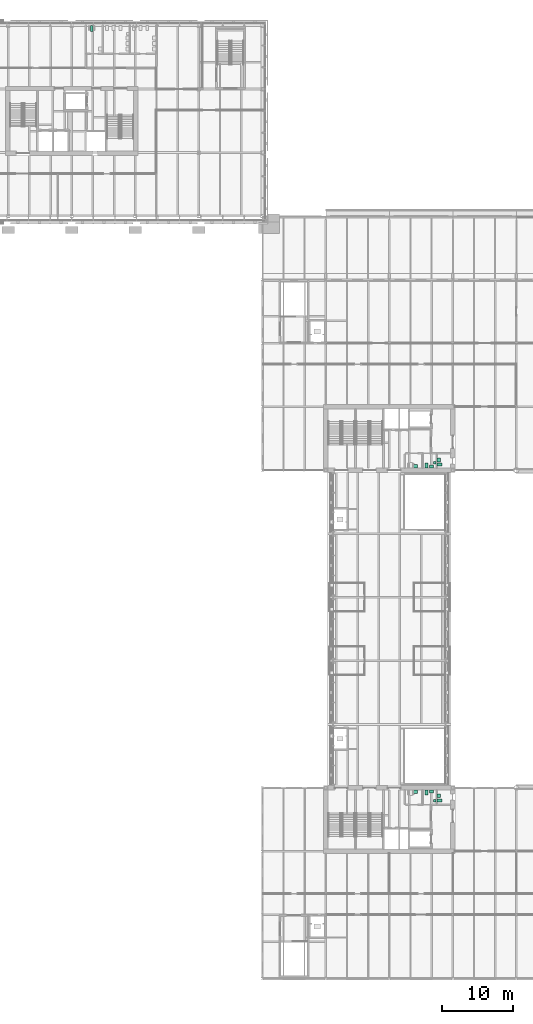
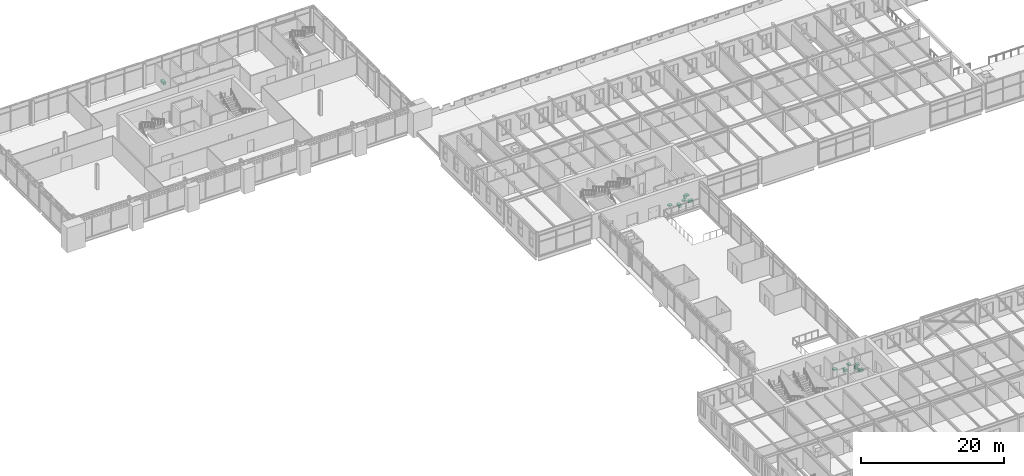
# One storey, part 121 of 123: 13 sanitary terminals.
"""IFC4 building model written with IfcOpenShell, lengths in metres."""

from ifc_helpers import new_model, si_unit, direction, frame, origin, origin_2d, place, context, subcontext, project, spatial, rectangle, extrude, material, type_object, element, save


model = new_model("IFC4")

# Units and contexts
model_context = context("Model", 3, precision=1e-05, world=origin(), true_north=direction((0.0, 1.0)))
body_context = subcontext(model_context, "Body", "Model", "MODEL_VIEW")
ifc_project = project(units=[si_unit("LENGTHUNIT", "METRE"), si_unit("AREAUNIT", "SQUARE_METRE"), si_unit("VOLUMEUNIT", "CUBIC_METRE"), si_unit("PLANEANGLEUNIT", "RADIAN"), si_unit("MASSUNIT", "GRAM", prefix="KILO")], contexts=[model_context])

# Site, building, storey
site_placement = place(None, origin())
site = spatial("IfcSite", under=ifc_project, at=site_placement, CompositionType="ELEMENT")
building_placement = place(site_placement, origin())
building = spatial("IfcBuilding", under=site, at=building_placement, Name="Baradari Gate Terminus", CompositionType="ELEMENT")
storey_placement = place(building_placement, frame((0.0, 0.0, 7.5)))
storey = spatial("IfcBuildingStorey", under=building, at=storey_placement, Name="L01", CompositionType="ELEMENT", Elevation=7.5)

# Sanitary terminals
ifc_material_1 = material(Name="Vitreous china", Category="ceramic")
sanitary_terminal_type_1 = type_object("IfcSanitaryTerminalType", Name="Accessible WC pan SW-5", PredefinedType="TOILETPAN", material=ifc_material_1)
sanitary_terminal_1_placement = place(storey_placement, frame((38.83740234375, 143.60009765625, 0.0), z_axis=(0.0, 0.0, 1.0), x_axis=(1.0, 0.0, 0.0)))
element("IfcSanitaryTerminal", 1, at=sanitary_terminal_1_placement, inside=storey, type_object=sanitary_terminal_type_1, Name="Accessible WC pan Accessible WC", PredefinedType="TOILETPAN", context=body_context, shape_type="SweptSolid", body=[
    extrude(rectangle(XDim=0.39990234375, YDim=0.800048828125, at=origin_2d()), origin(), (0.0, 0.0, 1.0), 0.47998046875),
])
ifc_material_2 = material(Name="Vitreous china", Category="ceramic")
sanitary_terminal_type_2 = type_object("IfcSanitaryTerminalType", Name="Accessible wash basin SW-6", PredefinedType="WASHHANDBASIN", material=ifc_material_2)
for number, where, z_axis, x_axis, name in (
    (2, (84.699951171875, 81.550048828125, 0.75), (0.0, 0.0, 1.0), (1.0, 0.0, 0.0), "Accessible wash basin Accessible WC"),
    (3, (84.699951171875, 35.449951171875, 0.75), (0.0, 0.0, 1.0), (1.0, 0.0, 0.0), "Accessible wash basin Accessible WC"),
):
    element("IfcSanitaryTerminal", number, at=place(storey_placement, frame(where, z_axis=z_axis, x_axis=x_axis)), inside=storey, type_object=sanitary_terminal_type_2, Name=name, PredefinedType="WASHHANDBASIN", context=body_context, shape_type="SweptSolid", body=[
        extrude(rectangle(XDim=0.60009765625, YDim=0.5, at=origin_2d()), origin(), (0.0, 0.0, 1.0), 0.199951171875),
    ])
ifc_material_3 = material(Name="Vitreous china", Category="ceramic")
sanitary_terminal_type_3 = type_object("IfcSanitaryTerminalType", Name="Urinal SW-3", PredefinedType="URINAL", material=ifc_material_3)
for number, where, z_axis, x_axis, name in (
    (4, (87.4375, 82.074951171875, 0.64990234375), (0.0, 0.0, 1.0), (1.0, 0.0, 0.0), "Urinal Male WC"),
    (5, (87.4375, 34.175048828125, 0.64990234375), (0.0, 0.0, 1.0), (1.0, 0.0, 0.0), "Urinal Male WC"),
):
    element("IfcSanitaryTerminal", number, at=place(storey_placement, frame(where, z_axis=z_axis, x_axis=x_axis)), inside=storey, type_object=sanitary_terminal_type_3, Name=name, PredefinedType="URINAL", context=body_context, shape_type="SweptSolid", body=[
        extrude(rectangle(XDim=0.35009765625, YDim=0.35009765625, at=origin_2d()), origin(), (0.0, 0.0, 1.0), 0.60009765625),
    ])
ifc_material_4 = material(Name="Vitreous china", Category="ceramic")
sanitary_terminal_type_4 = type_object("IfcSanitaryTerminalType", Name="WC pan SW-1", PredefinedType="TOILETPAN", material=ifc_material_4)
sanitary_terminal_2_placement = place(storey_placement, frame((86.28759765625, 81.64990234375, 0.0), z_axis=(0.0, 0.0, 1.0), x_axis=(1.0, 0.0, 0.0)))
element("IfcSanitaryTerminal", 6, at=sanitary_terminal_2_placement, inside=storey, type_object=sanitary_terminal_type_4, Name="WC pan Male WC", PredefinedType="TOILETPAN", context=body_context, shape_type="SweptSolid", body=[
    extrude(rectangle(XDim=0.39990234375, YDim=0.699951171875, at=origin_2d()), origin(), (0.0, 0.0, 1.0), 0.419921875),
])
sanitary_terminal_3_placement = place(storey_placement, frame((88.137451171875, 81.800048828125, 0.0), z_axis=(0.0, 0.0, 1.0), x_axis=(1.0, 0.0, 0.0)))
element("IfcSanitaryTerminal", 7, at=sanitary_terminal_3_placement, inside=storey, type_object=sanitary_terminal_type_4, Name="WC pan Female WC", PredefinedType="TOILETPAN", context=body_context, shape_type="SweptSolid", body=[
    extrude(rectangle(XDim=0.699951171875, YDim=0.39990234375, at=origin_2d()), origin(), (0.0, 0.0, 1.0), 0.419921875),
])
sanitary_terminal_4_placement = place(storey_placement, frame((86.28759765625, 35.35009765625, 0.0), z_axis=(0.0, 0.0, 1.0), x_axis=(1.0, 0.0, 0.0)))
element("IfcSanitaryTerminal", 8, at=sanitary_terminal_4_placement, inside=storey, type_object=sanitary_terminal_type_4, Name="WC pan Male WC", PredefinedType="TOILETPAN", context=body_context, shape_type="SweptSolid", body=[
    extrude(rectangle(XDim=0.39990234375, YDim=0.699951171875, at=origin_2d()), origin(), (0.0, 0.0, 1.0), 0.419921875),
])
sanitary_terminal_5_placement = place(storey_placement, frame((88.137451171875, 34.199951171875, 0.0), z_axis=(0.0, 0.0, 1.0), x_axis=(1.0, 0.0, 0.0)))
element("IfcSanitaryTerminal", 9, at=sanitary_terminal_5_placement, inside=storey, type_object=sanitary_terminal_type_4, Name="WC pan Female WC", PredefinedType="TOILETPAN", context=body_context, shape_type="SweptSolid", body=[
    extrude(rectangle(XDim=0.699951171875, YDim=0.39990234375, at=origin_2d()), origin(), (0.0, 0.0, 1.0), 0.419921875),
])
ifc_material_5 = material(Name="Vitreous china", Category="ceramic")
sanitary_terminal_type_5 = type_object("IfcSanitaryTerminalType", Name="Wash basin SW-2", PredefinedType="WASHHANDBASIN", material=ifc_material_5)
sanitary_terminal_6_placement = place(storey_placement, frame((86.96240234375, 81.52490234375, 0.75), z_axis=(0.0, 0.0, 1.0), x_axis=(1.0, 0.0, 0.0)))
element("IfcSanitaryTerminal", 10, at=sanitary_terminal_6_placement, inside=storey, type_object=sanitary_terminal_type_5, Name="Wash basin Male WC", PredefinedType="WASHHANDBASIN", context=body_context, shape_type="SweptSolid", body=[
    extrude(rectangle(XDim=0.550048828125, YDim=0.449951171875, at=origin_2d()), origin(), (0.0, 0.0, 1.0), 0.199951171875),
])
sanitary_terminal_7_placement = place(storey_placement, frame((88.012451171875, 82.47509765625, 0.75), z_axis=(0.0, 0.0, 1.0), x_axis=(1.0, 0.0, 0.0)))
element("IfcSanitaryTerminal", 11, at=sanitary_terminal_7_placement, inside=storey, type_object=sanitary_terminal_type_5, Name="Wash basin Female WC", PredefinedType="WASHHANDBASIN", context=body_context, shape_type="SweptSolid", body=[
    extrude(rectangle(XDim=0.449951171875, YDim=0.550048828125, at=origin_2d()), origin(), (0.0, 0.0, 1.0), 0.199951171875),
])
sanitary_terminal_8_placement = place(storey_placement, frame((86.96240234375, 35.47509765625, 0.75), z_axis=(0.0, 0.0, 1.0), x_axis=(1.0, 0.0, 0.0)))
element("IfcSanitaryTerminal", 12, at=sanitary_terminal_8_placement, inside=storey, type_object=sanitary_terminal_type_5, Name="Wash basin Male WC", PredefinedType="WASHHANDBASIN", context=body_context, shape_type="SweptSolid", body=[
    extrude(rectangle(XDim=0.550048828125, YDim=0.449951171875, at=origin_2d()), origin(), (0.0, 0.0, 1.0), 0.199951171875),
])
sanitary_terminal_9_placement = place(storey_placement, frame((88.012451171875, 34.875, 0.75), z_axis=(0.0, 0.0, 1.0), x_axis=(1.0, 0.0, 0.0)))
element("IfcSanitaryTerminal", 13, at=sanitary_terminal_9_placement, inside=storey, type_object=sanitary_terminal_type_5, Name="Wash basin Female WC", PredefinedType="WASHHANDBASIN", context=body_context, shape_type="SweptSolid", body=[
    extrude(rectangle(XDim=0.449951171875, YDim=0.550048828125, at=origin_2d()), origin(), (0.0, 0.0, 1.0), 0.199951171875),
])

save(model, "model.ifc")
